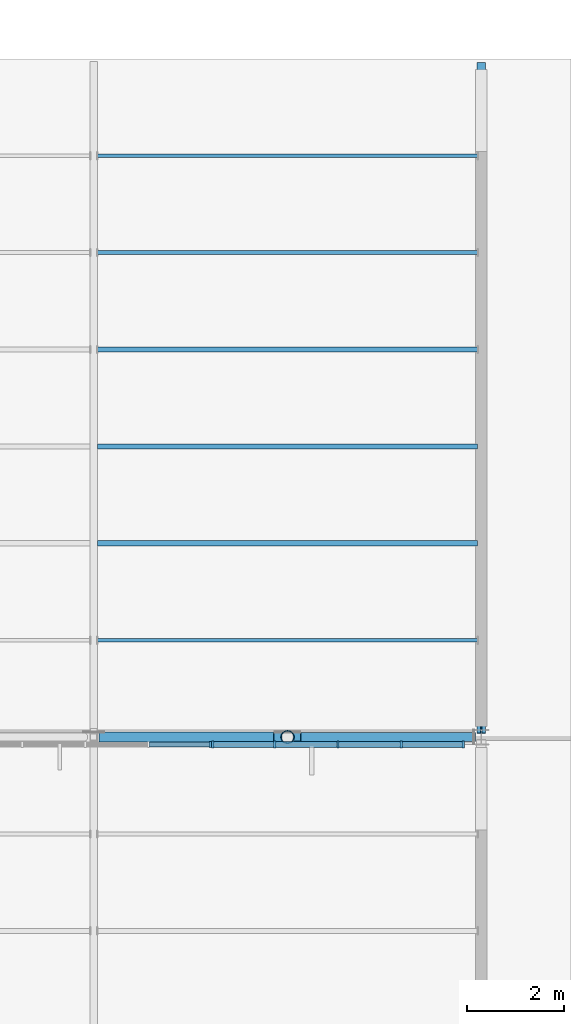
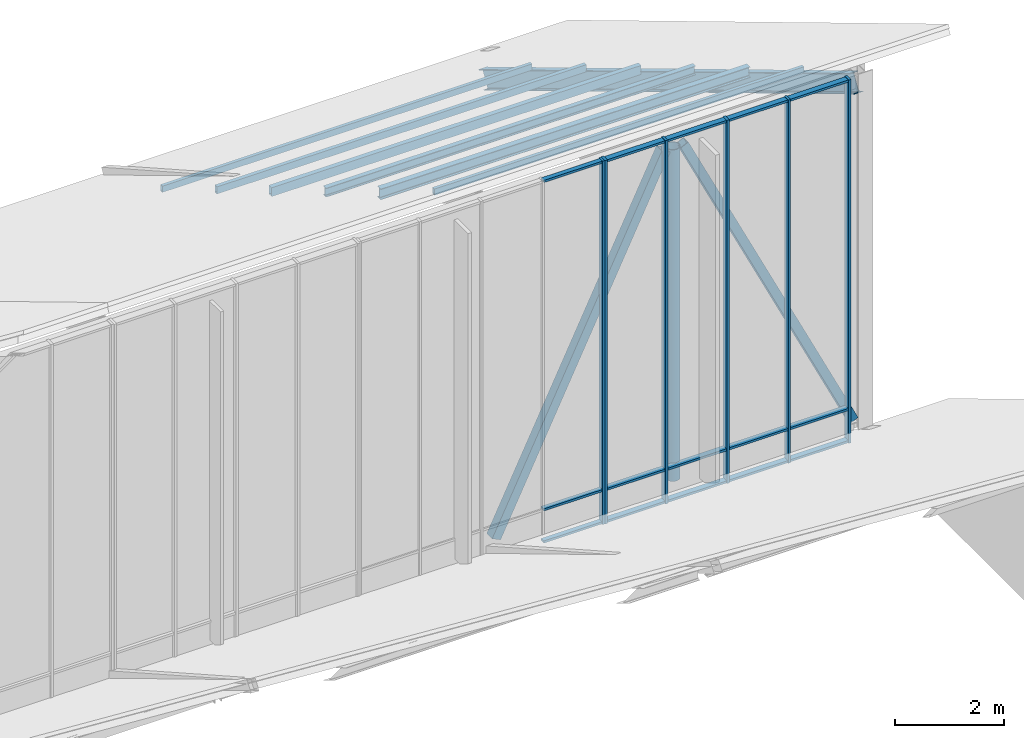
# One storey, part 72 of 155: 30 members, 1 beam, 2 elements without a shape of their own.
"""IFC4 building model written with IfcOpenShell, lengths in metres."""

from ifc_helpers import new_model, si_unit, direction, frame, origin, origin_2d, place, context, subcontext, project, spatial, rectangle, hollow_rectangle, hollow_circle, i_section, extrude, material, material_profile, profile_set, type_object, element, aggregate, save


model = new_model("IFC4")

# Units and contexts
model_context = context("Model", 3, precision=1e-05, world=origin(), true_north=direction((0.0, 1.0)))
body_context = subcontext(model_context, "Body", "Model", "MODEL_VIEW")
ifc_project = project(units=[si_unit("LENGTHUNIT", "METRE"), si_unit("AREAUNIT", "SQUARE_METRE"), si_unit("VOLUMEUNIT", "CUBIC_METRE"), si_unit("PLANEANGLEUNIT", "RADIAN"), si_unit("MASSUNIT", "GRAM", prefix="KILO")], contexts=[model_context])

# Site, building, storey
site_placement = place(None, origin())
site = spatial("IfcSite", under=ifc_project, at=site_placement, CompositionType="ELEMENT")
building_placement = place(site_placement, origin())
building = spatial("IfcBuilding", under=site, at=building_placement, Name="Larkveld Mobility Hub", CompositionType="ELEMENT")
storey_placement = place(building_placement, frame((0.0, 0.0, 8.39990234375)))
storey = spatial("IfcBuildingStorey", under=building, at=storey_placement, Name="L02", CompositionType="ELEMENT", Elevation=8.39990234375)

# Beam
ifc_material_1 = material(Name="Steel S355JR", Category="steel")
ifc_material_profile_1 = material_profile(ifc_material_1, i_section(OverallWidth=0.179931640625, OverallDepth=0.39990234375, WebThickness=0.008544921875, FlangeThickness=0.013427734375, FilletRadius=0.02099609375, at=origin_2d()), Name="IPE 400")
ifc_profile_set_1 = profile_set([ifc_material_profile_1], Name="Steel S355JR")
beam_type = type_object("IfcBeamType", Name="BM-STIPE400", PredefinedType="BEAM", material=ifc_profile_set_1)
beam_placement = place(storey_placement, frame((184.0, 112.179931640625, 7.708984375), z_axis=(0.0, 0.85749969687, -0.514484469998), x_axis=(-1.0, 0.0, 0.0)))
element("IfcBeam", 1, at=beam_placement, inside=storey, type_object=beam_type, Name="ROOF TRUSS Sawtooth Edge Rafter B7-184", PredefinedType="BEAM", context=body_context, shape_type="SweptSolid", body=[
    extrude(i_section(OverallWidth=0.179931640625, OverallDepth=0.39990234375, WebThickness=0.008544921875, FlangeThickness=0.013427734375, FilletRadius=0.02099609375, at=origin_2d()), origin(), (0.0, 0.0, 1.0), 15.906982421875),
])

# Curtain wall, members
ifc_material_2 = material(Name="Anodised aluminium 6063-T6", Category="aluminium")
curtain_wall_type_1 = type_object("IfcCurtainWallType", Name="CW-SYS-01", PredefinedType="NOTDEFINED", material=ifc_material_2)
curtain_wall_1_placement = place(storey_placement, origin())
curtain_wall_1 = element("IfcCurtainWall", 2, at=curtain_wall_1_placement, inside=storey, type_object=curtain_wall_type_1, Name="Sawtooth South-Light Clerestory B7 CW-049", PredefinedType="NOTDEFINED")
ifc_material_profile_2 = material_profile(ifc_material_2, rectangle(XDim=0.050048828125, YDim=0.14990234375, at=origin_2d()), Name="ALU MULL 50x150")
ifc_profile_set_2 = profile_set([ifc_material_profile_2], Name="Anodised aluminium 6063-T6")
member_type_1 = type_object("IfcMemberType", Name="CW-MUL-01", PredefinedType="MULLION", material=ifc_profile_set_2)
member_1_placement = place(storey_placement, frame((178.4580078125, 111.844970703125, -0.001953125), z_axis=(0.0, 0.0, 1.0), x_axis=(1.0, 0.0, 0.0)))
member_1 = element("IfcMember", 3, at=member_1_placement, type_object=member_type_1, Name="CW01 mullion 1", PredefinedType="MULLION", context=body_context, shape_type="SweptSolid", body=[
    extrude(rectangle(XDim=0.050048828125, YDim=0.14990234375, at=origin_2d()), origin(), (0.0, 0.0, 1.0), 8.152099609375),
])
member_2_placement = place(storey_placement, frame((179.737060546875, 111.844970703125, -0.001953125), z_axis=(0.0, 0.0, 1.0), x_axis=(1.0, 0.0, 0.0)))
member_2 = element("IfcMember", 4, at=member_2_placement, type_object=member_type_1, Name="CW01 mullion 2", PredefinedType="MULLION", context=body_context, shape_type="SweptSolid", body=[
    extrude(rectangle(XDim=0.050048828125, YDim=0.14990234375, at=origin_2d()), origin(), (0.0, 0.0, 1.0), 8.152099609375),
])
member_3_placement = place(storey_placement, frame((181.041015625, 111.844970703125, -0.001953125), z_axis=(0.0, 0.0, 1.0), x_axis=(1.0, 0.0, 0.0)))
member_3 = element("IfcMember", 5, at=member_3_placement, type_object=member_type_1, Name="CW01 mullion 3", PredefinedType="MULLION", context=body_context, shape_type="SweptSolid", body=[
    extrude(rectangle(XDim=0.050048828125, YDim=0.14990234375, at=origin_2d()), origin(), (0.0, 0.0, 1.0), 8.152099609375),
])
member_4_placement = place(storey_placement, frame((182.344970703125, 111.844970703125, -0.001953125), z_axis=(0.0, 0.0, 1.0), x_axis=(1.0, 0.0, 0.0)))
member_4 = element("IfcMember", 6, at=member_4_placement, type_object=member_type_1, Name="CW01 mullion 4", PredefinedType="MULLION", context=body_context, shape_type="SweptSolid", body=[
    extrude(rectangle(XDim=0.050048828125, YDim=0.14990234375, at=origin_2d()), origin(), (0.0, 0.0, 1.0), 8.152099609375),
])
member_5_placement = place(storey_placement, frame((183.625, 111.844970703125, -0.001953125), z_axis=(0.0, 0.0, 1.0), x_axis=(1.0, 0.0, 0.0)))
member_5 = element("IfcMember", 7, at=member_5_placement, type_object=member_type_1, Name="CW01 mullion 5", PredefinedType="MULLION", context=body_context, shape_type="SweptSolid", body=[
    extrude(rectangle(XDim=0.050048828125, YDim=0.14990234375, at=origin_2d()), origin(), (0.0, 0.0, 1.0), 8.152099609375),
])

# Curtain wall, member
curtain_wall_type_2 = type_object("IfcCurtainWallType", Name="CW-SYS-12", PredefinedType="NOTDEFINED", material=ifc_material_2)
curtain_wall_2_placement = place(storey_placement, origin())
curtain_wall_2 = element("IfcCurtainWall", 8, at=curtain_wall_2_placement, inside=storey, type_object=curtain_wall_type_2, Name="Sawtooth South-Light Clerestory B7 CW-048", PredefinedType="NOTDEFINED")
ifc_material_profile_3 = material_profile(ifc_material_2, rectangle(XDim=0.050048828125, YDim=0.1298828125, at=origin_2d()), Name="ALU MULL 50x130")
ifc_profile_set_3 = profile_set([ifc_material_profile_3], Name="Anodised aluminium 6063-T6")
member_type_2 = type_object("IfcMemberType", Name="CW-MUL-04", PredefinedType="MULLION", material=ifc_profile_set_3)
member_6_placement = place(storey_placement, frame((178.408935546875, 111.844970703125, -0.001953125), z_axis=(0.0, 0.0, 1.0), x_axis=(1.0, 0.0, 0.0)))
member_6 = element("IfcMember", 9, at=member_6_placement, type_object=member_type_2, Name="CW12 mullion 5", PredefinedType="MULLION", context=body_context, shape_type="SweptSolid", body=[
    extrude(rectangle(XDim=0.050048828125, YDim=0.1298828125, at=origin_2d()), origin(), (0.0, 0.0, 1.0), 8.152099609375),
])

# Member
ifc_material_profile_4 = material_profile(ifc_material_2, rectangle(XDim=0.1201171875, YDim=0.050048828125, at=origin_2d()), Name="ALU TRAN 50x120")
ifc_profile_set_4 = profile_set([ifc_material_profile_4], Name="Anodised aluminium 6063-T6")
member_type_3 = type_object("IfcMemberType", Name="CW-TRN-01", PredefinedType="USERDEFINED", material=ifc_profile_set_4)
member_7_placement = place(storey_placement, frame((178.468017578125, 111.844970703125, 0.030029296875), z_axis=(1.0, 0.0, 0.0), x_axis=(0.0, 1.0, 0.0)))
member_7 = element("IfcMember", 10, at=member_7_placement, type_object=member_type_3, Name="CW01 transom 1.1", ObjectType="TRANSOM", PredefinedType="USERDEFINED", context=body_context, shape_type="SweptSolid", body=[
    extrude(rectangle(XDim=0.1201171875, YDim=0.050048828125, at=origin_2d()), origin(), (0.0, 0.0, 1.0), 1.25390625),
])

member_8_placement = place(storey_placement, frame((178.468017578125, 111.844970703125, 0.75), z_axis=(1.0, 0.0, 0.0), x_axis=(0.0, 1.0, 0.0)))
member_8 = element("IfcMember", 11, at=member_8_placement, type_object=member_type_3, Name="CW01 transom 1.2", ObjectType="TRANSOM", PredefinedType="USERDEFINED", context=body_context, shape_type="SweptSolid", body=[
    extrude(rectangle(XDim=0.1201171875, YDim=0.050048828125, at=origin_2d()), origin(), (0.0, 0.0, 1.0), 1.25390625),
])

member_9_placement = place(storey_placement, frame((178.468017578125, 111.844970703125, 8.1181640625), z_axis=(1.0, 0.0, 0.0), x_axis=(0.0, 1.0, 0.0)))
member_9 = element("IfcMember", 12, at=member_9_placement, type_object=member_type_3, Name="CW01 transom 1.3", ObjectType="TRANSOM", PredefinedType="USERDEFINED", context=body_context, shape_type="SweptSolid", body=[
    extrude(rectangle(XDim=0.1201171875, YDim=0.050048828125, at=origin_2d()), origin(), (0.0, 0.0, 1.0), 1.25390625),
])

member_10_placement = place(storey_placement, frame((179.751953125, 111.844970703125, 0.030029296875), z_axis=(1.0, 0.0, 0.0), x_axis=(0.0, 1.0, 0.0)))
member_10 = element("IfcMember", 13, at=member_10_placement, type_object=member_type_3, Name="CW01 transom 2.1", ObjectType="TRANSOM", PredefinedType="USERDEFINED", context=body_context, shape_type="SweptSolid", body=[
    extrude(rectangle(XDim=0.1201171875, YDim=0.050048828125, at=origin_2d()), origin(), (0.0, 0.0, 1.0), 1.27392578125),
])

member_11_placement = place(storey_placement, frame((179.751953125, 111.844970703125, 0.75), z_axis=(1.0, 0.0, 0.0), x_axis=(0.0, 1.0, 0.0)))
member_11 = element("IfcMember", 14, at=member_11_placement, type_object=member_type_3, Name="CW01 transom 2.2", ObjectType="TRANSOM", PredefinedType="USERDEFINED", context=body_context, shape_type="SweptSolid", body=[
    extrude(rectangle(XDim=0.1201171875, YDim=0.050048828125, at=origin_2d()), origin(), (0.0, 0.0, 1.0), 1.27392578125),
])

member_12_placement = place(storey_placement, frame((179.751953125, 111.844970703125, 8.1181640625), z_axis=(1.0, 0.0, 0.0), x_axis=(0.0, 1.0, 0.0)))
member_12 = element("IfcMember", 15, at=member_12_placement, type_object=member_type_3, Name="CW01 transom 2.3", ObjectType="TRANSOM", PredefinedType="USERDEFINED", context=body_context, shape_type="SweptSolid", body=[
    extrude(rectangle(XDim=0.1201171875, YDim=0.050048828125, at=origin_2d()), origin(), (0.0, 0.0, 1.0), 1.27392578125),
])

member_13_placement = place(storey_placement, frame((181.055908203125, 111.844970703125, 0.030029296875), z_axis=(1.0, 0.0, 0.0), x_axis=(0.0, 1.0, 0.0)))
member_13 = element("IfcMember", 16, at=member_13_placement, type_object=member_type_3, Name="CW01 transom 3.1", ObjectType="TRANSOM", PredefinedType="USERDEFINED", context=body_context, shape_type="SweptSolid", body=[
    extrude(rectangle(XDim=0.1201171875, YDim=0.050048828125, at=origin_2d()), origin(), (0.0, 0.0, 1.0), 1.275146484375),
])

member_14_placement = place(storey_placement, frame((181.055908203125, 111.844970703125, 0.75), z_axis=(1.0, 0.0, 0.0), x_axis=(0.0, 1.0, 0.0)))
member_14 = element("IfcMember", 17, at=member_14_placement, type_object=member_type_3, Name="CW01 transom 3.2", ObjectType="TRANSOM", PredefinedType="USERDEFINED", context=body_context, shape_type="SweptSolid", body=[
    extrude(rectangle(XDim=0.1201171875, YDim=0.050048828125, at=origin_2d()), origin(), (0.0, 0.0, 1.0), 1.275146484375),
])

member_15_placement = place(storey_placement, frame((181.055908203125, 111.844970703125, 8.1181640625), z_axis=(1.0, 0.0, 0.0), x_axis=(0.0, 1.0, 0.0)))
member_15 = element("IfcMember", 18, at=member_15_placement, type_object=member_type_3, Name="CW01 transom 3.3", ObjectType="TRANSOM", PredefinedType="USERDEFINED", context=body_context, shape_type="SweptSolid", body=[
    extrude(rectangle(XDim=0.1201171875, YDim=0.050048828125, at=origin_2d()), origin(), (0.0, 0.0, 1.0), 1.275146484375),
])

member_16_placement = place(storey_placement, frame((182.361083984375, 111.844970703125, 0.030029296875), z_axis=(1.0, 0.0, 0.0), x_axis=(0.0, 1.0, 0.0)))
member_16 = element("IfcMember", 19, at=member_16_placement, type_object=member_type_3, Name="CW01 transom 4.1", ObjectType="TRANSOM", PredefinedType="USERDEFINED", context=body_context, shape_type="SweptSolid", body=[
    extrude(rectangle(XDim=0.1201171875, YDim=0.050048828125, at=origin_2d()), origin(), (0.0, 0.0, 1.0), 1.25390625),
])

member_17_placement = place(storey_placement, frame((182.361083984375, 111.844970703125, 0.75), z_axis=(1.0, 0.0, 0.0), x_axis=(0.0, 1.0, 0.0)))
member_17 = element("IfcMember", 20, at=member_17_placement, type_object=member_type_3, Name="CW01 transom 4.2", ObjectType="TRANSOM", PredefinedType="USERDEFINED", context=body_context, shape_type="SweptSolid", body=[
    extrude(rectangle(XDim=0.1201171875, YDim=0.050048828125, at=origin_2d()), origin(), (0.0, 0.0, 1.0), 1.25390625),
])

member_18_placement = place(storey_placement, frame((182.361083984375, 111.844970703125, 8.1181640625), z_axis=(1.0, 0.0, 0.0), x_axis=(0.0, 1.0, 0.0)))
member_18 = element("IfcMember", 21, at=member_18_placement, type_object=member_type_3, Name="CW01 transom 4.3", ObjectType="TRANSOM", PredefinedType="USERDEFINED", context=body_context, shape_type="SweptSolid", body=[
    extrude(rectangle(XDim=0.1201171875, YDim=0.050048828125, at=origin_2d()), origin(), (0.0, 0.0, 1.0), 1.25390625),
])

aggregate(curtain_wall_1, [member_1, member_2, member_3, member_4, member_5, member_7, member_8, member_9, member_10, member_11, member_12, member_13, member_14, member_15, member_16, member_17, member_18])

ifc_material_profile_5 = material_profile(ifc_material_2, rectangle(XDim=0.10009765625, YDim=0.050048828125, at=origin_2d()), Name="ALU TRAN 50x100")
ifc_profile_set_5 = profile_set([ifc_material_profile_5], Name="Anodised aluminium 6063-T6")
member_type_4 = type_object("IfcMemberType", Name="CW-TRN-04", PredefinedType="USERDEFINED", material=ifc_profile_set_5)
member_19_placement = place(storey_placement, frame((177.14501953125, 111.844970703125, 0.030029296875), z_axis=(1.0, 0.0, 0.0), x_axis=(0.0, 1.0, 0.0)))
member_19 = element("IfcMember", 22, at=member_19_placement, type_object=member_type_4, Name="CW12 transom 4.1", ObjectType="TRANSOM", PredefinedType="USERDEFINED", context=body_context, shape_type="SweptSolid", body=[
    extrude(rectangle(XDim=0.10009765625, YDim=0.050048828125, at=origin_2d()), origin(), (0.0, 0.0, 1.0), 1.25390625),
])

member_20_placement = place(storey_placement, frame((177.14501953125, 111.844970703125, 0.75), z_axis=(1.0, 0.0, 0.0), x_axis=(0.0, 1.0, 0.0)))
member_20 = element("IfcMember", 23, at=member_20_placement, type_object=member_type_4, Name="CW12 transom 4.2", ObjectType="TRANSOM", PredefinedType="USERDEFINED", context=body_context, shape_type="SweptSolid", body=[
    extrude(rectangle(XDim=0.10009765625, YDim=0.050048828125, at=origin_2d()), origin(), (0.0, 0.0, 1.0), 1.25390625),
])

member_21_placement = place(storey_placement, frame((177.14501953125, 111.844970703125, 8.1181640625), z_axis=(1.0, 0.0, 0.0), x_axis=(0.0, 1.0, 0.0)))
member_21 = element("IfcMember", 24, at=member_21_placement, type_object=member_type_4, Name="CW12 transom 4.3", ObjectType="TRANSOM", PredefinedType="USERDEFINED", context=body_context, shape_type="SweptSolid", body=[
    extrude(rectangle(XDim=0.10009765625, YDim=0.050048828125, at=origin_2d()), origin(), (0.0, 0.0, 1.0), 1.25390625),
])

aggregate(curtain_wall_2, [member_6, member_19, member_20, member_21])

# Members
ifc_material_profile_6 = material_profile(ifc_material_1, hollow_circle(Radius=0.136474609375, WallThickness=0.012451171875, at=origin_2d()), Name="CHS 273x12.5")
ifc_profile_set_6 = profile_set([ifc_material_profile_6], Name="Steel S355JR")
member_type_5 = type_object("IfcMemberType", Name="MB-BR-CHS273", PredefinedType="BRACE", material=ifc_profile_set_6)
member_22_placement = place(storey_placement, frame((180.0, 112.0, 0.360107421875), z_axis=(0.0, 0.0, 1.0), x_axis=(1.0, 0.0, 0.0)))
element("IfcMember", 25, at=member_22_placement, inside=storey, type_object=member_type_5, Name="ROOF TRUSS T7 Vertical Post 7", PredefinedType="BRACE", context=body_context, shape_type="SweptSolid", body=[
    extrude(hollow_circle(Radius=0.136474609375, WallThickness=0.012451171875, at=origin_2d()), origin(), (0.0, 0.0, 1.0), 7.43994140625),
])
ifc_material_profile_7 = material_profile(ifc_material_1, hollow_rectangle(XDim=0.179931640625, YDim=0.179931640625, WallThickness=0.010009765625, at=origin_2d()), Name="SHS 180x180x10")
ifc_profile_set_7 = profile_set([ifc_material_profile_7], Name="Steel S355JR")
member_type_6 = type_object("IfcMemberType", Name="MB-BR-SHS180", PredefinedType="BRACE", material=ifc_profile_set_7)
member_23_placement = place(storey_placement, frame((180.199951171875, 112.0, 7.800048828125), z_axis=(0.435573281392, 0.0, -0.900153273914), x_axis=(0.0, 1.0, 0.0)))
element("IfcMember", 26, at=member_23_placement, inside=storey, type_object=member_type_6, Name="ROOF TRUSS T7 Web Diagonal 8", PredefinedType="BRACE", context=body_context, shape_type="SweptSolid", body=[
    extrude(hollow_rectangle(XDim=0.179931640625, YDim=0.179931640625, WallThickness=0.010009765625, at=origin_2d()), origin(), (0.0, 0.0, 1.0), 8.26513671875),
])
ifc_material_profile_8 = material_profile(ifc_material_1, hollow_rectangle(XDim=0.199951171875, YDim=0.199951171875, WallThickness=0.010009765625, at=origin_2d()), Name="SHS 200x200x10")
ifc_profile_set_8 = profile_set([ifc_material_profile_8], Name="Steel S355JR")
member_type_7 = type_object("IfcMemberType", Name="MB-BR-SHS200", PredefinedType="BRACE", material=ifc_profile_set_8)
member_24_placement = place(storey_placement, frame((176.199951171875, 112.0, 0.360107421875), z_axis=(0.435573281392, 0.0, 0.900153273914), x_axis=(0.0, 1.0, 0.0)))
element("IfcMember", 27, at=member_24_placement, inside=storey, type_object=member_type_7, Name="ROOF TRUSS T7 Web Diagonal 7", PredefinedType="BRACE", context=body_context, shape_type="SweptSolid", body=[
    extrude(hollow_rectangle(XDim=0.199951171875, YDim=0.199951171875, WallThickness=0.010009765625, at=origin_2d()), origin(), (0.0, 0.0, 1.0), 8.26513671875),
])
ifc_material_profile_9 = material_profile(ifc_material_1, i_section(OverallWidth=0.10009765625, OverallDepth=0.199951171875, WebThickness=0.005615234375, FlangeThickness=0.008544921875, FilletRadius=0.011962890625, at=origin_2d()), Name="IPE 200")
ifc_profile_set_9 = profile_set([ifc_material_profile_9], Name="Steel S355JR")
member_type_8 = type_object("IfcMemberType", Name="MB-PR-IPE200", PredefinedType="PURLIN", material=ifc_profile_set_9)
member_25_placement = place(storey_placement, frame((176.080078125, 118.0, 4.507080078125), z_axis=(1.0, 0.0, 0.0), x_axis=(0.0, 1.0, 0.0)))
element("IfcMember", 28, at=member_25_placement, inside=storey, type_object=member_type_8, Name="Sawtooth Roof Purlin B7-3.4", PredefinedType="PURLIN", context=body_context, shape_type="SweptSolid", body=[
    extrude(i_section(OverallWidth=0.10009765625, OverallDepth=0.199951171875, WebThickness=0.005615234375, FlangeThickness=0.008544921875, FilletRadius=0.011962890625, at=origin_2d()), origin(), (0.0, 0.0, 1.0), 7.83984375),
])
ifc_material_profile_10 = material_profile(ifc_material_1, i_section(OverallWidth=0.1201171875, OverallDepth=0.239990234375, WebThickness=0.006103515625, FlangeThickness=0.009765625, FilletRadius=0.014892578125, at=origin_2d()), Name="IPE 240")
ifc_profile_set_10 = profile_set([ifc_material_profile_10], Name="Steel S355JR")
member_type_9 = type_object("IfcMemberType", Name="MB-PR-IPE240", PredefinedType="PURLIN", material=ifc_profile_set_10)
member_26_placement = place(storey_placement, frame((176.080078125, 116.0, 5.68701171875), z_axis=(1.0, 0.0, 0.0), x_axis=(0.0, 1.0, 0.0)))
element("IfcMember", 29, at=member_26_placement, inside=storey, type_object=member_type_9, Name="Sawtooth Roof Purlin B7-2.4", PredefinedType="PURLIN", context=body_context, shape_type="SweptSolid", body=[
    extrude(i_section(OverallWidth=0.1201171875, OverallDepth=0.239990234375, WebThickness=0.006103515625, FlangeThickness=0.009765625, FilletRadius=0.014892578125, at=origin_2d()), origin(), (0.0, 0.0, 1.0), 7.83984375),
])
ifc_material_profile_11 = material_profile(ifc_material_1, hollow_rectangle(XDim=0.070068359375, YDim=0.139892578125, WallThickness=0.00634765625, at=origin_2d()), Name="RHS 140x70x6.3")
ifc_profile_set_11 = profile_set([ifc_material_profile_11], Name="Steel S355JR")
member_type_10 = type_object("IfcMemberType", Name="MB-PR-RHS140", PredefinedType="PURLIN", material=ifc_profile_set_11)
for number, where, z_axis, x_axis, name in (
    (30, (176.080078125, 114.0, 6.93701171875), (1.0, 0.0, 0.0), (0.0, 1.0, 0.0), "Sawtooth Roof Purlin B7-1.4"),
    (31, (176.080078125, 124.0, 0.93701171875), (1.0, 0.0, 0.0), (0.0, 1.0, 0.0), "Sawtooth Roof Purlin B7-6.4"),
):
    element("IfcMember", number, at=place(storey_placement, frame(where, z_axis=z_axis, x_axis=x_axis)), inside=storey, type_object=member_type_10, Name=name, PredefinedType="PURLIN", context=body_context, shape_type="SweptSolid", body=[
        extrude(hollow_rectangle(XDim=0.070068359375, YDim=0.139892578125, WallThickness=0.00634765625, at=origin_2d()), origin(), (0.0, 0.0, 1.0), 7.83984375),
    ])
ifc_material_profile_12 = material_profile(ifc_material_1, hollow_rectangle(XDim=0.080078125, YDim=0.159912109375, WallThickness=0.008056640625, at=origin_2d()), Name="RHS 160x80x8")
ifc_profile_set_12 = profile_set([ifc_material_profile_12], Name="Steel S355JR")
member_type_11 = type_object("IfcMemberType", Name="MB-PR-RHS160", PredefinedType="PURLIN", material=ifc_profile_set_12)
member_27_placement = place(storey_placement, frame((176.080078125, 122.0, 2.127197265625), z_axis=(1.0, 0.0, 0.0), x_axis=(0.0, 1.0, 0.0)))
element("IfcMember", 32, at=member_27_placement, inside=storey, type_object=member_type_11, Name="Sawtooth Roof Purlin B7-5.4", PredefinedType="PURLIN", context=body_context, shape_type="SweptSolid", body=[
    extrude(hollow_rectangle(XDim=0.080078125, YDim=0.159912109375, WallThickness=0.008056640625, at=origin_2d()), origin(), (0.0, 0.0, 1.0), 7.83984375),
])
ifc_material_profile_13 = material_profile(ifc_material_1, hollow_rectangle(XDim=0.10009765625, YDim=0.199951171875, WallThickness=0.008056640625, at=origin_2d()), Name="RHS 200x100x8")
ifc_profile_set_13 = profile_set([ifc_material_profile_13], Name="Steel S355JR")
member_type_12 = type_object("IfcMemberType", Name="MB-PR-RHS200", PredefinedType="PURLIN", material=ifc_profile_set_13)
member_28_placement = place(storey_placement, frame((176.080078125, 120.0, 3.30712890625), z_axis=(1.0, 0.0, 0.0), x_axis=(0.0, 1.0, 0.0)))
element("IfcMember", 33, at=member_28_placement, inside=storey, type_object=member_type_12, Name="Sawtooth Roof Purlin B7-4.4", PredefinedType="PURLIN", context=body_context, shape_type="SweptSolid", body=[
    extrude(hollow_rectangle(XDim=0.10009765625, YDim=0.199951171875, WallThickness=0.008056640625, at=origin_2d()), origin(), (0.0, 0.0, 1.0), 7.83984375),
])

save(model, "model.ifc")
